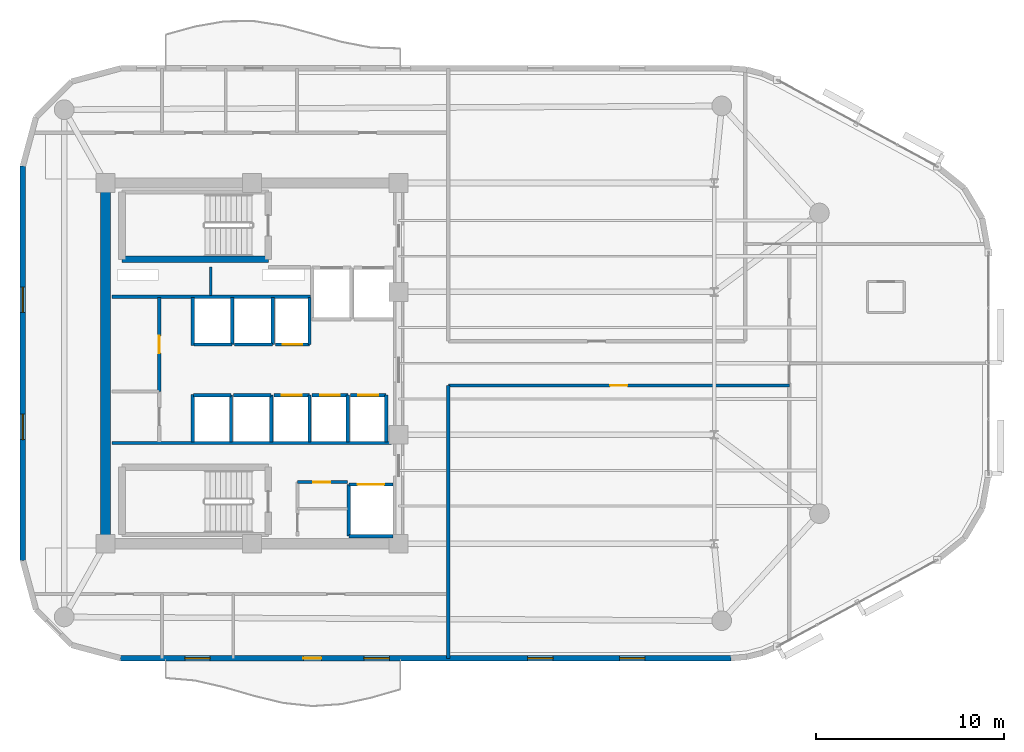
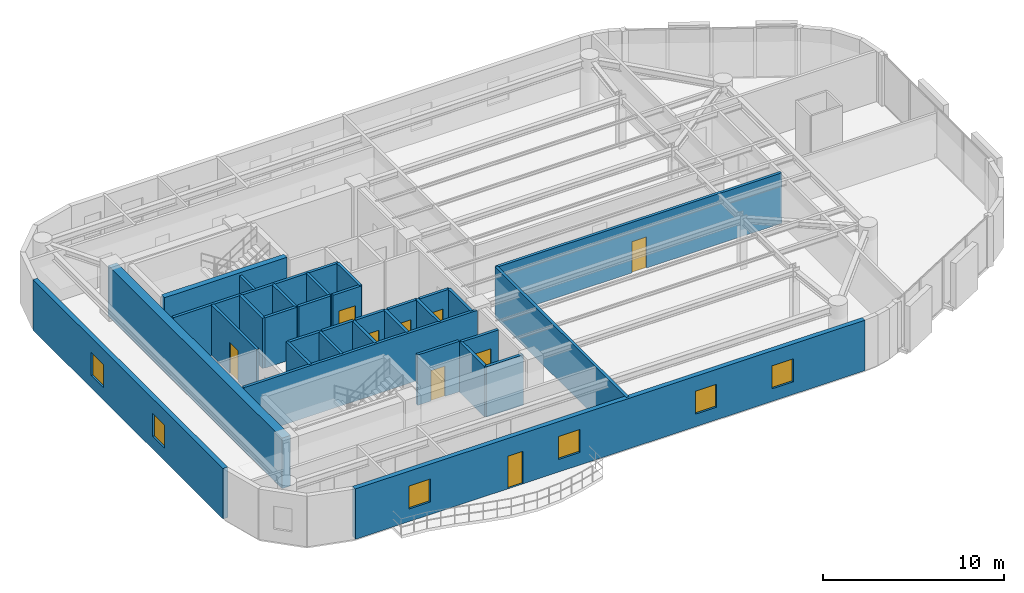
# One storey, part 9 of 13: 32 walls, 9 doors, 6 windows, 15 openings.
"""IFC4 building model written with IfcOpenShell, lengths in metres."""

from ifc_helpers import new_model, si_unit, direction, frame, frame_2d, origin, place, context, subcontext, project, spatial, rectangle, extrude, material, layer, layer_set, type_object, element, fill, save


model = new_model("IFC4")

# Units and contexts
model_context = context("Model", 3, precision=1e-05, world=origin(), true_north=direction((0.0, 1.0)))
body_context = subcontext(model_context, "Body", "Model", "MODEL_VIEW")
ifc_project = project(units=[si_unit("LENGTHUNIT", "METRE"), si_unit("AREAUNIT", "SQUARE_METRE"), si_unit("VOLUMEUNIT", "CUBIC_METRE"), si_unit("PLANEANGLEUNIT", "RADIAN"), si_unit("MASSUNIT", "GRAM", prefix="KILO")], contexts=[model_context])

# Site, building, storey
site_placement = place(None, origin())
site = spatial("IfcSite", under=ifc_project, at=site_placement, CompositionType="ELEMENT")
building_placement = place(site_placement, origin())
building = spatial("IfcBuilding", under=site, at=building_placement, Name="An Khanh Terracotta Commons", CompositionType="ELEMENT")
storey_placement = place(building_placement, frame((0.0, 0.0, 201.300048828125)))
storey = spatial("IfcBuildingStorey", under=building, at=storey_placement, Name="L52", CompositionType="ELEMENT", Elevation=201.300048828125)

# Walls
ifc_material_1 = material(Name="Concrete C50/60", Category="concrete")
ifc_layer_1 = layer(ifc_material_1, 0.550048828125, Name="Concrete C50/60")
ifc_layer_set_1 = layer_set([ifc_layer_1], Name="Concrete C50/60")
wall_type_1 = type_object("IfcWallType", Name="WALL-CORE-550", PredefinedType="SHEAR", material=ifc_layer_set_1)
wall_1_placement = place(storey_placement, frame((21.60009765625, 14.39990234375, 0.0), z_axis=(0.0, 0.0, 1.0), x_axis=(0.0, 1.0, 0.0)))
element("IfcWall", 1, at=wall_1_placement, inside=storey, type_object=wall_type_1, Name="L52 Core Wall CWALL-L52-W", PredefinedType="SHEAR", context=body_context, shape_type="SweptSolid", body=[
    extrude(rectangle(XDim=19.2001953125, YDim=0.550048828125, at=frame_2d((9.60009765625, 0.0))), origin(), (0.0, 0.0, 1.0), 3.39990234375),
])
ifc_material_2 = material(Name="Fire-Rated Gypsum Board on Steel Stud", Category="steel")
ifc_layer_2 = layer(ifc_material_2, 0.179931640625, Name="Fire-Rated Gypsum Board on Steel Stud")
ifc_layer_set_2 = layer_set([ifc_layer_2], Name="Fire-Rated Gypsum Board on Steel Stud")
wall_type_2 = type_object("IfcWallType", Name="WALL-CORR-180", PredefinedType="PARTITIONING", material=ifc_layer_set_2)
wall_2_placement = place(storey_placement, frame((21.949951171875, 27.5400390625, 0.0), z_axis=(0.0, 0.0, 1.0), x_axis=(1.0, 0.0, 0.0)))
element("IfcWall", 2, at=wall_2_placement, inside=storey, type_object=wall_type_2, Name="L52 Core Wall RSRW-L52-S", PredefinedType="PARTITIONING", context=body_context, shape_type="SweptSolid", body=[
    extrude(rectangle(XDim=10.56005859375, YDim=0.179931640625, at=frame_2d((5.280029296875, 0.0))), origin(), (0.0, 0.0, 1.0), 3.39990234375),
])
wall_3_placement = place(storey_placement, frame((21.949951171875, 19.760009765625, 0.0), z_axis=(0.0, 0.0, 1.0), x_axis=(1.0, 0.0, 0.0)))
element("IfcWall", 3, at=wall_3_placement, inside=storey, type_object=wall_type_2, Name="L52 Core Wall SVW-L52-N", PredefinedType="PARTITIONING", context=body_context, shape_type="SweptSolid", body=[
    extrude(rectangle(XDim=14.8701171875, YDim=0.179931640625, at=frame_2d((7.43505859375, 0.0))), origin(), (0.0, 0.0, 1.0), 3.39990234375),
])

# Wall, opening, door
wall_4_placement = place(storey_placement, frame((31.820068359375, 17.679931640625, 0.0), z_axis=(0.0, 0.0, 1.0), x_axis=(1.0, 0.0, 0.0)))
wall_4 = element("IfcWall", 4, at=wall_4_placement, inside=storey, type_object=wall_type_2, Name="L52 Core Wall SSVCW-L52-N", PredefinedType="PARTITIONING", context=body_context, shape_type="SweptSolid", body=[
    extrude(rectangle(XDim=2.659912109375, YDim=0.179931640625, at=frame_2d((1.330078125, 0.0))), origin(), (0.0, 0.0, 1.0), 3.39990234375),
])
opening_1_placement = place(wall_4_placement, frame((0.85009765625, 0.0, 0.0)))
opening_1 = element("IfcOpeningElement", 5, at=opening_1_placement, cuts=wall_4, Name="Opening D-SV", PredefinedType="OPENING", context=body_context, shape_type="SweptSolid", body=[
    extrude(rectangle(XDim=0.89990234375, YDim=2.050048828125, at=frame_2d((0.449951171875, 1.02490234375))), frame((0.0, 0.099853515625, 0.0), z_axis=(0.0, -1.0, 0.0), x_axis=(1.0, 0.0, 0.0)), (0.0, 0.0, 1.0), 0.199951171875),
])
ifc_material_3 = material(Name="Fire-Rated Powder-Coated Steel Door", Category="steel")
door_type_1 = type_object("IfcDoorType", Name="DOOR-SERV-900", OperationType="NOTDEFINED", PredefinedType="DOOR", material=ifc_material_3)
door_1_placement = place(opening_1_placement, origin())
door_1 = element("IfcDoor", 6, at=door_1_placement, inside=storey, type_object=door_type_1, Name="L52 Core Cleaner Store Door", OperationType="SINGLE_SWING_RIGHT", OverallHeight=2.050048828125, OverallWidth=0.89990234375, PredefinedType="DOOR", context=body_context, shape_type="SweptSolid", body=[
    extrude(rectangle(XDim=0.89990234375, YDim=2.050048828125, at=frame_2d((0.449951171875, 1.02490234375))), frame((0.0, 0.02490234375, 0.0), z_axis=(0.0, -1.0, 0.0), x_axis=(1.0, 0.0, 0.0)), (0.0, 0.0, 1.0), 0.050048828125),
])
fill(opening_1, door_1)

wall_5_placement = place(storey_placement, frame((34.550048828125, 17.550048828125, 0.0), z_axis=(0.0, 0.0, 1.0), x_axis=(1.0, 0.0, 0.0)))
wall_5 = element("IfcWall", 7, at=wall_5_placement, inside=storey, type_object=wall_type_2, Name="L52 Core Wall LSH-L52-SVL-01-N", PredefinedType="PARTITIONING", context=body_context, shape_type="SweptSolid", body=[
    extrude(rectangle(XDim=2.349853515625, YDim=0.179931640625, at=frame_2d((1.1748046875, 0.0))), origin(), (0.0, 0.0, 1.0), 3.39990234375),
])
opening_2_placement = place(wall_5_placement, frame((0.47509765625, 0.0, 0.0)))
opening_2 = element("IfcOpeningElement", 8, at=opening_2_placement, cuts=wall_5, Name="Opening LD-SVL-01-L52", PredefinedType="OPENING", context=body_context, shape_type="SweptSolid", body=[
    extrude(rectangle(XDim=1.39990234375, YDim=2.300048828125, at=frame_2d((0.699951171875, 1.14990234375))), frame((0.0, 0.099853515625, 0.0), z_axis=(0.0, -1.0, 0.0), x_axis=(1.0, 0.0, 0.0)), (0.0, 0.0, 1.0), 0.199951171875),
])
ifc_material_4 = material(Name="Heavy-Duty Stainless Steel Goods Landing Door", Category="steel")
door_type_2 = type_object("IfcDoorType", Name="DOOR-LD-SVL-1400", OperationType="NOTDEFINED", PredefinedType="DOOR", material=ifc_material_4)
door_2_placement = place(opening_2_placement, origin())
door_2 = element("IfcDoor", 9, at=door_2_placement, inside=storey, type_object=door_type_2, Name="L52 Lift SVL-01 Sliding Landing Door", OperationType="DOUBLE_DOOR_SLIDING", OverallHeight=2.300048828125, OverallWidth=1.39990234375, PredefinedType="DOOR", context=body_context, shape_type="SweptSolid", body=[
    extrude(rectangle(XDim=1.39990234375, YDim=2.300048828125, at=frame_2d((0.699951171875, 1.14990234375))), frame((0.0, 0.02490234375, 0.0), z_axis=(0.0, -1.0, 0.0), x_axis=(1.0, 0.0, 0.0)), (0.0, 0.0, 1.0), 0.050048828125),
])
fill(opening_2, door_2)

# Walls
wall_6_placement = place(storey_placement, frame((36.89990234375, 14.800048828125, 0.0), z_axis=(0.0, 0.0, 1.0), x_axis=(-1.0, 0.0, 0.0)))
element("IfcWall", 10, at=wall_6_placement, inside=storey, type_object=wall_type_2, Name="L52 Core Wall LSH-L52-SVL-01-S", PredefinedType="PARTITIONING", context=body_context, shape_type="SweptSolid", body=[
    extrude(rectangle(XDim=2.349853515625, YDim=0.179931640625, at=frame_2d((1.1748046875, 0.0))), origin(), (0.0, 0.0, 1.0), 3.39990234375),
])
wall_7_placement = place(storey_placement, frame((34.550048828125, 17.550048828125, 0.0), z_axis=(0.0, 0.0, 1.0), x_axis=(0.0, -1.0, 0.0)))
element("IfcWall", 11, at=wall_7_placement, inside=storey, type_object=wall_type_2, Name="L52 Core Wall LSH-L52-SVL-01-W", PredefinedType="PARTITIONING", context=body_context, shape_type="SweptSolid", body=[
    extrude(rectangle(XDim=2.75, YDim=0.179931640625, at=frame_2d((1.375, 0.0))), origin(), (0.0, 0.0, 1.0), 3.39990234375),
])
wall_8_placement = place(storey_placement, frame((28.340087890625, 25.0, 0.0), z_axis=(0.0, 0.0, 1.0), x_axis=(-1.0, 0.0, 0.0)))
element("IfcWall", 12, at=wall_8_placement, inside=storey, type_object=wall_type_2, Name="L52 Core Wall LSH-L52-PL-M1-S", PredefinedType="PARTITIONING", context=body_context, shape_type="SweptSolid", body=[
    extrude(rectangle(XDim=2.02001953125, YDim=0.179931640625, at=frame_2d((1.010009765625, 0.0))), origin(), (0.0, 0.0, 1.0), 3.39990234375),
])
wall_9_placement = place(storey_placement, frame((28.340087890625, 25.0, 0.0), z_axis=(0.0, 0.0, 1.0), x_axis=(0.0, 1.0, 0.0)))
element("IfcWall", 13, at=wall_9_placement, inside=storey, type_object=wall_type_2, Name="L52 Core Wall LSH-L52-PL-M1-E", PredefinedType="PARTITIONING", context=body_context, shape_type="SweptSolid", body=[
    extrude(rectangle(XDim=2.5, YDim=0.179931640625, at=frame_2d((1.25, 0.0))), origin(), (0.0, 0.0, 1.0), 3.39990234375),
])
wall_10_placement = place(storey_placement, frame((30.5, 25.0, 0.0), z_axis=(0.0, 0.0, 1.0), x_axis=(-1.0, 0.0, 0.0)))
element("IfcWall", 14, at=wall_10_placement, inside=storey, type_object=wall_type_2, Name="L52 Core Wall LSH-L52-PL-M2-S", PredefinedType="PARTITIONING", context=body_context, shape_type="SweptSolid", body=[
    extrude(rectangle(XDim=2.02001953125, YDim=0.179931640625, at=frame_2d((1.010009765625, 0.0))), origin(), (0.0, 0.0, 1.0), 3.39990234375),
])
wall_11_placement = place(storey_placement, frame((30.5, 25.0, 0.0), z_axis=(0.0, 0.0, 1.0), x_axis=(0.0, 1.0, 0.0)))
element("IfcWall", 15, at=wall_11_placement, inside=storey, type_object=wall_type_2, Name="L52 Core Wall LSH-L52-PL-M2-E", PredefinedType="PARTITIONING", context=body_context, shape_type="SweptSolid", body=[
    extrude(rectangle(XDim=2.5, YDim=0.179931640625, at=frame_2d((1.25, 0.0))), origin(), (0.0, 0.0, 1.0), 3.39990234375),
])
wall_12_placement = place(storey_placement, frame((26.280029296875, 22.300048828125, 0.0), z_axis=(0.0, 0.0, 1.0), x_axis=(1.0, 0.0, 0.0)))
element("IfcWall", 16, at=wall_12_placement, inside=storey, type_object=wall_type_2, Name="L52 Core Wall LSH-L52-PL-M3-N", PredefinedType="PARTITIONING", context=body_context, shape_type="SweptSolid", body=[
    extrude(rectangle(XDim=2.0, YDim=0.179931640625, at=frame_2d((1.0, 0.0))), origin(), (0.0, 0.0, 1.0), 3.39990234375),
])
wall_13_placement = place(storey_placement, frame((28.280029296875, 19.800048828125, 0.0), z_axis=(0.0, 0.0, 1.0), x_axis=(0.0, 1.0, 0.0)))
element("IfcWall", 17, at=wall_13_placement, inside=storey, type_object=wall_type_2, Name="L52 Core Wall LSH-L52-PL-M3-E", PredefinedType="PARTITIONING", context=body_context, shape_type="SweptSolid", body=[
    extrude(rectangle(XDim=2.5, YDim=0.179931640625, at=frame_2d((1.25, 0.0))), origin(), (0.0, 0.0, 1.0), 3.39990234375),
])
wall_14_placement = place(storey_placement, frame((28.419921875, 22.300048828125, 0.0), z_axis=(0.0, 0.0, 1.0), x_axis=(1.0, 0.0, 0.0)))
element("IfcWall", 18, at=wall_14_placement, inside=storey, type_object=wall_type_2, Name="L52 Core Wall LSH-L52-PL-M4-N", PredefinedType="PARTITIONING", context=body_context, shape_type="SweptSolid", body=[
    extrude(rectangle(XDim=2.0, YDim=0.179931640625, at=frame_2d((1.0, 0.0))), origin(), (0.0, 0.0, 1.0), 3.39990234375),
])
wall_15_placement = place(storey_placement, frame((30.419921875, 19.800048828125, 0.0), z_axis=(0.0, 0.0, 1.0), x_axis=(0.0, 1.0, 0.0)))
element("IfcWall", 19, at=wall_15_placement, inside=storey, type_object=wall_type_2, Name="L52 Core Wall LSH-L52-PL-M4-E", PredefinedType="PARTITIONING", context=body_context, shape_type="SweptSolid", body=[
    extrude(rectangle(XDim=2.5, YDim=0.179931640625, at=frame_2d((1.25, 0.0))), origin(), (0.0, 0.0, 1.0), 3.39990234375),
])

# Wall, opening, door
wall_16_placement = place(storey_placement, frame((32.4599609375, 25.0, 0.0), z_axis=(0.0, 0.0, 1.0), x_axis=(-1.0, 0.0, 0.0)))
wall_16 = element("IfcWall", 20, at=wall_16_placement, inside=storey, type_object=wall_type_2, Name="L52 Core Wall LSH-L52-PL-H1-S", PredefinedType="PARTITIONING", context=body_context, shape_type="SweptSolid", body=[
    extrude(rectangle(XDim=1.820068359375, YDim=0.179931640625, at=frame_2d((0.91015625, 0.0))), origin(), (0.0, 0.0, 1.0), 3.39990234375),
])
opening_3_placement = place(wall_16_placement, frame((0.385009765625, 0.0, 0.0)))
opening_3 = element("IfcOpeningElement", 21, at=opening_3_placement, cuts=wall_16, Name="Opening LD-PL-H1-L52", PredefinedType="OPENING", context=body_context, shape_type="SweptSolid", body=[
    extrude(rectangle(XDim=1.050048828125, YDim=2.199951171875, at=frame_2d((0.52490234375, 1.10009765625))), frame((0.0, 0.099853515625, 0.0), z_axis=(0.0, -1.0, 0.0), x_axis=(1.0, 0.0, 0.0)), (0.0, 0.0, 1.0), 0.199951171875),
])
ifc_material_5 = material(Name="Brushed Stainless Steel High-Rise Landing Door", Category="steel")
door_type_3 = type_object("IfcDoorType", Name="DOOR-LD-PAXH-1050", OperationType="NOTDEFINED", PredefinedType="DOOR", material=ifc_material_5)
door_3_placement = place(opening_3_placement, origin())
door_3 = element("IfcDoor", 22, at=door_3_placement, inside=storey, type_object=door_type_3, Name="L52 Lift PL-H1 Sliding Landing Door", OperationType="DOUBLE_DOOR_SLIDING", OverallHeight=2.199951171875, OverallWidth=1.050048828125, PredefinedType="DOOR", context=body_context, shape_type="SweptSolid", body=[
    extrude(rectangle(XDim=1.050048828125, YDim=2.199951171875, at=frame_2d((0.52490234375, 1.10009765625))), frame((0.0, 0.02490234375, 0.0), z_axis=(0.0, -1.0, 0.0), x_axis=(1.0, 0.0, 0.0)), (0.0, 0.0, 1.0), 0.050048828125),
])
fill(opening_3, door_3)

# Wall
wall_17_placement = place(storey_placement, frame((32.4599609375, 25.0, 0.0), z_axis=(0.0, 0.0, 1.0), x_axis=(0.0, 1.0, 0.0)))
element("IfcWall", 23, at=wall_17_placement, inside=storey, type_object=wall_type_2, Name="L52 Core Wall LSH-L52-PL-H1-E", PredefinedType="PARTITIONING", context=body_context, shape_type="SweptSolid", body=[
    extrude(rectangle(XDim=2.5, YDim=0.179931640625, at=frame_2d((1.25, 0.0))), origin(), (0.0, 0.0, 1.0), 3.39990234375),
])

# Wall, opening, door
wall_18_placement = place(storey_placement, frame((30.56005859375, 22.300048828125, 0.0), z_axis=(0.0, 0.0, 1.0), x_axis=(1.0, 0.0, 0.0)))
wall_18 = element("IfcWall", 24, at=wall_18_placement, inside=storey, type_object=wall_type_2, Name="L52 Core Wall LSH-L52-PL-H2-N", PredefinedType="PARTITIONING", context=body_context, shape_type="SweptSolid", body=[
    extrude(rectangle(XDim=1.89990234375, YDim=0.179931640625, at=frame_2d((0.949951171875, 0.0))), origin(), (0.0, 0.0, 1.0), 3.39990234375),
])
opening_4_placement = place(wall_18_placement, frame((0.425048828125, 0.0, 0.0)))
opening_4 = element("IfcOpeningElement", 25, at=opening_4_placement, cuts=wall_18, Name="Opening LD-PL-H2-L52", PredefinedType="OPENING", context=body_context, shape_type="SweptSolid", body=[
    extrude(rectangle(XDim=1.050048828125, YDim=2.199951171875, at=frame_2d((0.52490234375, 1.10009765625))), frame((0.0, 0.099853515625, 0.0), z_axis=(0.0, -1.0, 0.0), x_axis=(1.0, 0.0, 0.0)), (0.0, 0.0, 1.0), 0.199951171875),
])
door_4_placement = place(opening_4_placement, origin())
door_4 = element("IfcDoor", 26, at=door_4_placement, inside=storey, type_object=door_type_3, Name="L52 Lift PL-H2 Sliding Landing Door", OperationType="DOUBLE_DOOR_SLIDING", OverallHeight=2.199951171875, OverallWidth=1.050048828125, PredefinedType="DOOR", context=body_context, shape_type="SweptSolid", body=[
    extrude(rectangle(XDim=1.050048828125, YDim=2.199951171875, at=frame_2d((0.52490234375, 1.10009765625))), frame((0.0, 0.02490234375, 0.0), z_axis=(0.0, -1.0, 0.0), x_axis=(1.0, 0.0, 0.0)), (0.0, 0.0, 1.0), 0.050048828125),
])
fill(opening_4, door_4)

# Wall
wall_19_placement = place(storey_placement, frame((32.4599609375, 19.800048828125, 0.0), z_axis=(0.0, 0.0, 1.0), x_axis=(0.0, 1.0, 0.0)))
element("IfcWall", 27, at=wall_19_placement, inside=storey, type_object=wall_type_2, Name="L52 Core Wall LSH-L52-PL-H2-E", PredefinedType="PARTITIONING", context=body_context, shape_type="SweptSolid", body=[
    extrude(rectangle(XDim=2.5, YDim=0.179931640625, at=frame_2d((1.25, 0.0))), origin(), (0.0, 0.0, 1.0), 3.39990234375),
])

# Wall, opening, door
wall_20_placement = place(storey_placement, frame((32.60009765625, 22.300048828125, 0.0), z_axis=(0.0, 0.0, 1.0), x_axis=(1.0, 0.0, 0.0)))
wall_20 = element("IfcWall", 28, at=wall_20_placement, inside=storey, type_object=wall_type_2, Name="L52 Core Wall LSH-L52-PL-H3-N", PredefinedType="PARTITIONING", context=body_context, shape_type="SweptSolid", body=[
    extrude(rectangle(XDim=1.89990234375, YDim=0.179931640625, at=frame_2d((0.949951171875, 0.0))), origin(), (0.0, 0.0, 1.0), 3.39990234375),
])
opening_5_placement = place(wall_20_placement, frame((0.425048828125, 0.0, 0.0)))
opening_5 = element("IfcOpeningElement", 29, at=opening_5_placement, cuts=wall_20, Name="Opening LD-PL-H3-L52", PredefinedType="OPENING", context=body_context, shape_type="SweptSolid", body=[
    extrude(rectangle(XDim=1.050048828125, YDim=2.199951171875, at=frame_2d((0.52490234375, 1.10009765625))), frame((0.0, 0.099853515625, 0.0), z_axis=(0.0, -1.0, 0.0), x_axis=(1.0, 0.0, 0.0)), (0.0, 0.0, 1.0), 0.199951171875),
])
door_5_placement = place(opening_5_placement, origin())
door_5 = element("IfcDoor", 30, at=door_5_placement, inside=storey, type_object=door_type_3, Name="L52 Lift PL-H3 Sliding Landing Door", OperationType="DOUBLE_DOOR_SLIDING", OverallHeight=2.199951171875, OverallWidth=1.050048828125, PredefinedType="DOOR", context=body_context, shape_type="SweptSolid", body=[
    extrude(rectangle(XDim=1.050048828125, YDim=2.199951171875, at=frame_2d((0.52490234375, 1.10009765625))), frame((0.0, 0.02490234375, 0.0), z_axis=(0.0, -1.0, 0.0), x_axis=(1.0, 0.0, 0.0)), (0.0, 0.0, 1.0), 0.050048828125),
])
fill(opening_5, door_5)

# Wall
wall_21_placement = place(storey_placement, frame((34.5, 19.800048828125, 0.0), z_axis=(0.0, 0.0, 1.0), x_axis=(0.0, 1.0, 0.0)))
element("IfcWall", 31, at=wall_21_placement, inside=storey, type_object=wall_type_2, Name="L52 Core Wall LSH-L52-PL-H3-E", PredefinedType="PARTITIONING", context=body_context, shape_type="SweptSolid", body=[
    extrude(rectangle(XDim=2.5, YDim=0.179931640625, at=frame_2d((1.25, 0.0))), origin(), (0.0, 0.0, 1.0), 3.39990234375),
])

# Wall, opening, door
wall_22_placement = place(storey_placement, frame((34.639892578125, 22.300048828125, 0.0), z_axis=(0.0, 0.0, 1.0), x_axis=(1.0, 0.0, 0.0)))
wall_22 = element("IfcWall", 32, at=wall_22_placement, inside=storey, type_object=wall_type_2, Name="L52 Core Wall LSH-L52-PL-H4-N", PredefinedType="PARTITIONING", context=body_context, shape_type="SweptSolid", body=[
    extrude(rectangle(XDim=1.900146484375, YDim=0.179931640625, at=frame_2d((0.9501953125, 0.0))), origin(), (0.0, 0.0, 1.0), 3.39990234375),
])
opening_6_placement = place(wall_22_placement, frame((0.425048828125, 0.0, 0.0)))
opening_6 = element("IfcOpeningElement", 33, at=opening_6_placement, cuts=wall_22, Name="Opening LD-PL-H4-L52", PredefinedType="OPENING", context=body_context, shape_type="SweptSolid", body=[
    extrude(rectangle(XDim=1.050048828125, YDim=2.199951171875, at=frame_2d((0.52490234375, 1.10009765625))), frame((0.0, 0.099853515625, 0.0), z_axis=(0.0, -1.0, 0.0), x_axis=(1.0, 0.0, 0.0)), (0.0, 0.0, 1.0), 0.199951171875),
])
door_6_placement = place(opening_6_placement, origin())
door_6 = element("IfcDoor", 34, at=door_6_placement, inside=storey, type_object=door_type_3, Name="L52 Lift PL-H4 Sliding Landing Door", OperationType="DOUBLE_DOOR_SLIDING", OverallHeight=2.199951171875, OverallWidth=1.050048828125, PredefinedType="DOOR", context=body_context, shape_type="SweptSolid", body=[
    extrude(rectangle(XDim=1.050048828125, YDim=2.199951171875, at=frame_2d((0.52490234375, 1.10009765625))), frame((0.0, 0.02490234375, 0.0), z_axis=(0.0, -1.0, 0.0), x_axis=(1.0, 0.0, 0.0)), (0.0, 0.0, 1.0), 0.050048828125),
])
fill(opening_6, door_6)

# Wall
wall_23_placement = place(storey_placement, frame((36.5400390625, 19.800048828125, 0.0), z_axis=(0.0, 0.0, 1.0), x_axis=(0.0, 1.0, 0.0)))
element("IfcWall", 35, at=wall_23_placement, inside=storey, type_object=wall_type_2, Name="L52 Core Wall LSH-L52-PL-H4-E", PredefinedType="PARTITIONING", context=body_context, shape_type="SweptSolid", body=[
    extrude(rectangle(XDim=2.5, YDim=0.179931640625, at=frame_2d((1.25, 0.0))), origin(), (0.0, 0.0, 1.0), 3.39990234375),
])

# Wall, opening, door
wall_24_placement = place(storey_placement, frame((24.4599609375, 22.5, 0.0), z_axis=(0.0, 0.0, 1.0), x_axis=(0.0, 1.0, 0.0)))
wall_24 = element("IfcWall", 36, at=wall_24_placement, inside=storey, type_object=wall_type_2, Name="L52 Core Wall RECW-L52-E1", PredefinedType="PARTITIONING", context=body_context, shape_type="SweptSolid", body=[
    extrude(rectangle(XDim=5.0, YDim=0.179931640625, at=frame_2d((2.5, 0.0))), origin(), (0.0, 0.0, 1.0), 3.39990234375),
])
opening_7_placement = place(wall_24_placement, frame((2.0400390625, 0.0, 0.0)))
opening_7 = element("IfcOpeningElement", 37, at=opening_7_placement, cuts=wall_24, Name="Opening D-RM", PredefinedType="OPENING", context=body_context, shape_type="SweptSolid", body=[
    extrude(rectangle(XDim=0.919921875, YDim=2.10009765625, at=frame_2d((0.4599609375, 1.050048828125))), frame((0.0, 0.099853515625, 0.0), z_axis=(0.0, -1.0, 0.0), x_axis=(1.0, 0.0, 0.0)), (0.0, 0.0, 1.0), 0.199951171875),
])
ifc_material_6 = material(Name="Engineered Hardwood Timber Leaf", Category="wood")
door_type_4 = type_object("IfcDoorType", Name="DOOR-INT-920", OperationType="NOTDEFINED", PredefinedType="DOOR", material=ifc_material_6)
door_7_placement = place(opening_7_placement, origin())
door_7 = element("IfcDoor", 38, at=door_7_placement, inside=storey, type_object=door_type_4, Name="L52 Resident Study Pod Door", OperationType="SINGLE_SWING_RIGHT", OverallHeight=2.10009765625, OverallWidth=0.919921875, PredefinedType="DOOR", context=body_context, shape_type="SweptSolid", body=[
    extrude(rectangle(XDim=0.919921875, YDim=2.10009765625, at=frame_2d((0.4599609375, 1.050048828125))), frame((0.0, 0.02490234375, 0.0), z_axis=(0.0, -1.0, 0.0), x_axis=(1.0, 0.0, 0.0)), (0.0, 0.0, 1.0), 0.050048828125),
])
fill(opening_7, door_7)

# Walls
for number, where, z_axis, x_axis, name in (
    (39, (26.25, 24.949951171875, 0.0), (0.0, 0.0, 1.0), (0.0, 1.0, 0.0), "L52 Core Wall RECW-L52-BE1"),
    (40, (26.25, 19.800048828125, 0.0), (0.0, 0.0, 1.0), (0.0, 1.0, 0.0), "L52 Core Wall RECW-L52-BE2"),
):
    element("IfcWall", number, at=place(storey_placement, frame(where, z_axis=z_axis, x_axis=x_axis)), inside=storey, type_object=wall_type_2, Name=name, PredefinedType="PARTITIONING", context=body_context, shape_type="SweptSolid", body=[
        extrude(rectangle(XDim=2.550048828125, YDim=0.179931640625, at=frame_2d((1.27490234375, 0.0))), origin(), (0.0, 0.0, 1.0), 3.39990234375),
    ])

# Wall, opening, door
wall_25_placement = place(storey_placement, frame((39.85009765625, 22.820068359375, 0.0), z_axis=(0.0, 0.0, 1.0), x_axis=(1.0, 0.0, 0.0)))
wall_25 = element("IfcWall", 41, at=wall_25_placement, inside=storey, type_object=wall_type_2, Name="L52 Interior Partition IW-L52-E002", PredefinedType="PARTITIONING", context=body_context, shape_type="SweptSolid", body=[
    extrude(rectangle(XDim=18.14990234375, YDim=0.179931640625, at=frame_2d((9.074951171875, 0.0))), origin(), (0.0, 0.0, 1.0), 3.39990234375),
])
opening_8_placement = place(wall_25_placement, frame((8.614990234375, 0.0, 0.0)))
opening_8 = element("IfcOpeningElement", 42, at=opening_8_placement, cuts=wall_25, Name="Opening D-RM", PredefinedType="OPENING", context=body_context, shape_type="SweptSolid", body=[
    extrude(rectangle(XDim=0.919921875, YDim=2.10009765625, at=frame_2d((0.4599609375, 1.050048828125))), frame((0.0, 0.099853515625, 0.0), z_axis=(0.0, -1.0, 0.0), x_axis=(1.0, 0.0, 0.0)), (0.0, 0.0, 1.0), 0.199951171875),
])
door_8_placement = place(opening_8_placement, origin())
door_8 = element("IfcDoor", 43, at=door_8_placement, inside=storey, type_object=door_type_4, Name="L52 ZW2 Collaborative Study Lounge Door", OperationType="SINGLE_SWING_LEFT", OverallHeight=2.10009765625, OverallWidth=0.919921875, PredefinedType="DOOR", context=body_context, shape_type="SweptSolid", body=[
    extrude(rectangle(XDim=0.919921875, YDim=2.10009765625, at=frame_2d((0.4599609375, 1.050048828125))), frame((0.0, 0.02490234375, 0.0), z_axis=(0.0, -1.0, 0.0), x_axis=(1.0, 0.0, 0.0)), (0.0, 0.0, 1.0), 0.050048828125),
])
fill(opening_8, door_8)

# Wall
wall_26_placement = place(storey_placement, frame((39.85009765625, 8.300048828125, 0.0), z_axis=(0.0, 0.0, 1.0), x_axis=(0.0, 1.0, 0.0)))
element("IfcWall", 44, at=wall_26_placement, inside=storey, type_object=wall_type_2, Name="L52 Interior Partition IW-L52-E012", PredefinedType="PARTITIONING", context=body_context, shape_type="SweptSolid", body=[
    extrude(rectangle(XDim=14.52001953125, YDim=0.179931640625, at=frame_2d((7.260009765625, 0.0))), origin(), (0.0, 0.0, 1.0), 3.39990234375),
])

# Wall, openings, door, windows
ifc_material_7 = material(Name="Precast concrete C40/50", Category="concrete")
ifc_layer_3 = layer(ifc_material_7, 0.300048828125, Name="Precast concrete C40/50")
ifc_layer_set_3 = layer_set([ifc_layer_3], Name="Precast concrete C40/50")
wall_type_3 = type_object("IfcWallType", Name="WALL-EXT-300", PredefinedType="SOLIDWALL", material=ifc_layer_set_3)
wall_27_placement = place(storey_placement, frame((22.39990234375, 8.300048828125, 0.0), z_axis=(0.0, 0.0, 1.0), x_axis=(1.0, 0.0, 0.0)))
wall_27 = element("IfcWall", 45, at=wall_27_placement, inside=storey, type_object=wall_type_3, Name="L52 Insulated Terracotta Exterior Wall 4", PredefinedType="SOLIDWALL", context=body_context, shape_type="SweptSolid", body=[
    extrude(rectangle(XDim=32.485107421875, YDim=0.300048828125, at=frame_2d((16.24267578125, 0.0))), origin(), (0.0, 0.0, 1.0), 3.39990234375),
])
opening_9_placement = place(wall_27_placement, frame((9.737060546875, 0.0, 0.0)))
opening_9 = element("IfcOpeningElement", 46, at=opening_9_placement, cuts=wall_27, Name="Opening D-BAL", PredefinedType="OPENING", context=body_context, shape_type="SweptSolid", body=[
    extrude(rectangle(XDim=0.949951171875, YDim=2.199951171875, at=frame_2d((0.47509765625, 1.10009765625))), frame((0.0, 0.159912109375, 0.0), z_axis=(0.0, -1.0, 0.0), x_axis=(1.0, 0.0, 0.0)), (0.0, 0.0, 1.0), 0.320068359375),
])
opening_10_placement = place(wall_27_placement, frame((3.425048828125, 0.0, 0.85009765625)))
opening_10 = element("IfcOpeningElement", 47, at=opening_10_placement, cuts=wall_27, Name="Opening W-04", PredefinedType="OPENING", context=body_context, shape_type="SweptSolid", body=[
    extrude(rectangle(XDim=1.35009765625, YDim=1.550048828125, at=frame_2d((0.675048828125, 0.77490234375))), frame((0.0, 0.159912109375, 0.0), z_axis=(0.0, -1.0, 0.0), x_axis=(1.0, 0.0, 0.0)), (0.0, 0.0, 1.0), 0.320068359375),
])
opening_11_placement = place(wall_27_placement, frame((12.9580078125, 0.0, 0.85009765625)))
opening_11 = element("IfcOpeningElement", 48, at=opening_11_placement, cuts=wall_27, Name="Opening W-04", PredefinedType="OPENING", context=body_context, shape_type="SweptSolid", body=[
    extrude(rectangle(XDim=1.35009765625, YDim=1.550048828125, at=frame_2d((0.675048828125, 0.77490234375))), frame((0.0, 0.159912109375, 0.0), z_axis=(0.0, -1.0, 0.0), x_axis=(1.0, 0.0, 0.0)), (0.0, 0.0, 1.0), 0.320068359375),
])
opening_12_placement = place(wall_27_placement, frame((21.669921875, 0.0, 0.85009765625)))
opening_12 = element("IfcOpeningElement", 49, at=opening_12_placement, cuts=wall_27, Name="Opening W-04", PredefinedType="OPENING", context=body_context, shape_type="SweptSolid", body=[
    extrude(rectangle(XDim=1.35009765625, YDim=1.550048828125, at=frame_2d((0.675048828125, 0.77490234375))), frame((0.0, 0.159912109375, 0.0), z_axis=(0.0, -1.0, 0.0), x_axis=(1.0, 0.0, 0.0)), (0.0, 0.0, 1.0), 0.320068359375),
])
opening_13_placement = place(wall_27_placement, frame((26.56494140625, 0.0, 0.85009765625)))
opening_13 = element("IfcOpeningElement", 50, at=opening_13_placement, cuts=wall_27, Name="Opening W-04", PredefinedType="OPENING", context=body_context, shape_type="SweptSolid", body=[
    extrude(rectangle(XDim=1.35009765625, YDim=1.550048828125, at=frame_2d((0.675048828125, 0.77490234375))), frame((0.0, 0.159912109375, 0.0), z_axis=(0.0, -1.0, 0.0), x_axis=(1.0, 0.0, 0.0)), (0.0, 0.0, 1.0), 0.320068359375),
])
ifc_material_8 = material(Name="Thermally Broken Aluminium and Low-E Glass", Category="aluminium")
door_type_5 = type_object("IfcDoorType", Name="DOOR-BALC-950", OperationType="NOTDEFINED", PredefinedType="DOOR", material=ifc_material_8)
door_9_placement = place(opening_9_placement, origin())
door_9 = element("IfcDoor", 51, at=door_9_placement, inside=storey, type_object=door_type_5, Name="L52 S Wave Balcony Glazed Door", OperationType="SINGLE_SWING_LEFT", OverallHeight=2.199951171875, OverallWidth=0.949951171875, PredefinedType="DOOR", context=body_context, shape_type="SweptSolid", body=[
    extrude(rectangle(XDim=0.949951171875, YDim=2.199951171875, at=frame_2d((0.47509765625, 1.10009765625))), frame((0.0, 0.02490234375, 0.0), z_axis=(0.0, -1.0, 0.0), x_axis=(1.0, 0.0, 0.0)), (0.0, 0.0, 1.0), 0.050048828125),
])
fill(opening_9, door_9)
window_type = type_object("IfcWindowType", Name="WIN-Z4-1350x1550", PartitioningType="SINGLE_PANEL", PredefinedType="WINDOW", material=ifc_material_8)
window_1_placement = place(opening_10_placement, origin())
window_1 = element("IfcWindow", 52, at=window_1_placement, inside=storey, type_object=window_type, Name="L52 Operable Casement Window 4.1", OverallHeight=1.550048828125, OverallWidth=1.35009765625, PartitioningType="SINGLE_PANEL", PredefinedType="WINDOW", context=body_context, shape_type="SweptSolid", body=[
    extrude(rectangle(XDim=1.35009765625, YDim=1.550048828125, at=frame_2d((0.675048828125, 0.77490234375))), frame((0.0, 0.030029296875, 0.0), z_axis=(0.0, -1.0, 0.0), x_axis=(1.0, 0.0, 0.0)), (0.0, 0.0, 1.0), 0.06005859375),
])
fill(opening_10, window_1)
window_2_placement = place(opening_11_placement, origin())
window_2 = element("IfcWindow", 53, at=window_2_placement, inside=storey, type_object=window_type, Name="L52 Operable Casement Window 4.2", OverallHeight=1.550048828125, OverallWidth=1.35009765625, PartitioningType="SINGLE_PANEL", PredefinedType="WINDOW", context=body_context, shape_type="SweptSolid", body=[
    extrude(rectangle(XDim=1.35009765625, YDim=1.550048828125, at=frame_2d((0.675048828125, 0.77490234375))), frame((0.0, 0.030029296875, 0.0), z_axis=(0.0, -1.0, 0.0), x_axis=(1.0, 0.0, 0.0)), (0.0, 0.0, 1.0), 0.06005859375),
])
fill(opening_11, window_2)
window_3_placement = place(opening_12_placement, origin())
window_3 = element("IfcWindow", 54, at=window_3_placement, inside=storey, type_object=window_type, Name="L52 Operable Casement Window 4.3", OverallHeight=1.550048828125, OverallWidth=1.35009765625, PartitioningType="SINGLE_PANEL", PredefinedType="WINDOW", context=body_context, shape_type="SweptSolid", body=[
    extrude(rectangle(XDim=1.35009765625, YDim=1.550048828125, at=frame_2d((0.675048828125, 0.77490234375))), frame((0.0, 0.030029296875, 0.0), z_axis=(0.0, -1.0, 0.0), x_axis=(1.0, 0.0, 0.0)), (0.0, 0.0, 1.0), 0.06005859375),
])
fill(opening_12, window_3)
window_4_placement = place(opening_13_placement, origin())
window_4 = element("IfcWindow", 55, at=window_4_placement, inside=storey, type_object=window_type, Name="L52 Operable Casement Window 4.4", OverallHeight=1.550048828125, OverallWidth=1.35009765625, PartitioningType="SINGLE_PANEL", PredefinedType="WINDOW", context=body_context, shape_type="SweptSolid", body=[
    extrude(rectangle(XDim=1.35009765625, YDim=1.550048828125, at=frame_2d((0.675048828125, 0.77490234375))), frame((0.0, 0.030029296875, 0.0), z_axis=(0.0, -1.0, 0.0), x_axis=(1.0, 0.0, 0.0)), (0.0, 0.0, 1.0), 0.06005859375),
])
fill(opening_13, window_4)

# Wall, openings, windows
wall_28_placement = place(storey_placement, frame((17.199951171875, 34.5, 0.0), z_axis=(0.0, 0.0, 1.0), x_axis=(0.0, -1.0, 0.0)))
wall_28 = element("IfcWall", 56, at=wall_28_placement, inside=storey, type_object=wall_type_3, Name="L52 Insulated Terracotta Exterior Wall 24", PredefinedType="SOLIDWALL", context=body_context, shape_type="SweptSolid", body=[
    extrude(rectangle(XDim=21.0, YDim=0.300048828125, at=frame_2d((10.5, 0.0))), origin(), (0.0, 0.0, 1.0), 3.39990234375),
])
opening_14_placement = place(wall_28_placement, frame((6.44189453125, 0.0, 0.85009765625)))
opening_14 = element("IfcOpeningElement", 57, at=opening_14_placement, cuts=wall_28, Name="Opening W-04", PredefinedType="OPENING", context=body_context, shape_type="SweptSolid", body=[
    extrude(rectangle(XDim=1.35009765625, YDim=1.550048828125, at=frame_2d((0.675048828125, 0.77490234375))), frame((0.0, 0.159912109375, 0.0), z_axis=(0.0, -1.0, 0.0), x_axis=(1.0, 0.0, 0.0)), (0.0, 0.0, 1.0), 0.320068359375),
])
opening_15_placement = place(wall_28_placement, frame((13.2080078125, 0.0, 0.85009765625)))
opening_15 = element("IfcOpeningElement", 58, at=opening_15_placement, cuts=wall_28, Name="Opening W-04", PredefinedType="OPENING", context=body_context, shape_type="SweptSolid", body=[
    extrude(rectangle(XDim=1.35009765625, YDim=1.550048828125, at=frame_2d((0.675048828125, 0.77490234375))), frame((0.0, 0.159912109375, 0.0), z_axis=(0.0, -1.0, 0.0), x_axis=(1.0, 0.0, 0.0)), (0.0, 0.0, 1.0), 0.320068359375),
])
window_5_placement = place(opening_14_placement, origin())
window_5 = element("IfcWindow", 59, at=window_5_placement, inside=storey, type_object=window_type, Name="L52 Operable Casement Window 24.1", OverallHeight=1.550048828125, OverallWidth=1.35009765625, PartitioningType="SINGLE_PANEL", PredefinedType="WINDOW", context=body_context, shape_type="SweptSolid", body=[
    extrude(rectangle(XDim=1.35009765625, YDim=1.550048828125, at=frame_2d((0.675048828125, 0.77490234375))), frame((0.0, 0.030029296875, 0.0), z_axis=(0.0, -1.0, 0.0), x_axis=(1.0, 0.0, 0.0)), (0.0, 0.0, 1.0), 0.06005859375),
])
fill(opening_14, window_5)
window_6_placement = place(opening_15_placement, origin())
window_6 = element("IfcWindow", 60, at=window_6_placement, inside=storey, type_object=window_type, Name="L52 Operable Casement Window 24.2", OverallHeight=1.550048828125, OverallWidth=1.35009765625, PartitioningType="SINGLE_PANEL", PredefinedType="WINDOW", context=body_context, shape_type="SweptSolid", body=[
    extrude(rectangle(XDim=1.35009765625, YDim=1.550048828125, at=frame_2d((0.675048828125, 0.77490234375))), frame((0.0, 0.030029296875, 0.0), z_axis=(0.0, -1.0, 0.0), x_axis=(1.0, 0.0, 0.0)), (0.0, 0.0, 1.0), 0.06005859375),
])
fill(opening_15, window_6)

# Walls
ifc_material_9 = material(Name="Acoustic Gypsum Board Partition")
ifc_layer_4 = layer(ifc_material_9, 0.14990234375, Name="Acoustic Gypsum Board Partition")
ifc_layer_set_4 = layer_set([ifc_layer_4], Name="Acoustic Gypsum Board Partition")
wall_type_4 = type_object("IfcWallType", Name="WALL-PART-150", PredefinedType="PARTITIONING", material=ifc_layer_set_4)
wall_29_placement = place(storey_placement, frame((27.199951171875, 27.60009765625, 0.0), z_axis=(0.0, 0.0, 1.0), x_axis=(0.0, 1.0, 0.0)))
element("IfcWall", 61, at=wall_29_placement, inside=storey, type_object=wall_type_4, Name="L52 Core Wall RSRW-L52-D1", PredefinedType="PARTITIONING", context=body_context, shape_type="SweptSolid", body=[
    extrude(rectangle(XDim=1.52001953125, YDim=0.14990234375, at=frame_2d((0.760009765625, 0.0))), origin(), (0.0, 0.0, 1.0), 3.39990234375),
])
ifc_layer_5 = layer(ifc_material_1, 0.35009765625, Name="Concrete C50/60")
ifc_layer_set_5 = layer_set([ifc_layer_5], Name="Concrete C50/60")
wall_type_5 = type_object("IfcWallType", Name="WALL-SHAFT-350", PredefinedType="SOLIDWALL", material=ifc_layer_set_5)
wall_30_placement = place(storey_placement, frame((22.47998046875, 29.530029296875, 0.0), z_axis=(0.0, 0.0, 1.0), x_axis=(1.0, 0.0, 0.0)))
element("IfcWall", 62, at=wall_30_placement, inside=storey, type_object=wall_type_5, Name="L52 Core Wall STW-L52-N-S", PredefinedType="SOLIDWALL", context=body_context, shape_type="SweptSolid", body=[
    extrude(rectangle(XDim=7.7900390625, YDim=0.35009765625, at=frame_2d((3.89501953125, 0.0))), origin(), (0.0, 0.0, 1.0), 3.39990234375),
])

save(model, "model.ifc")
